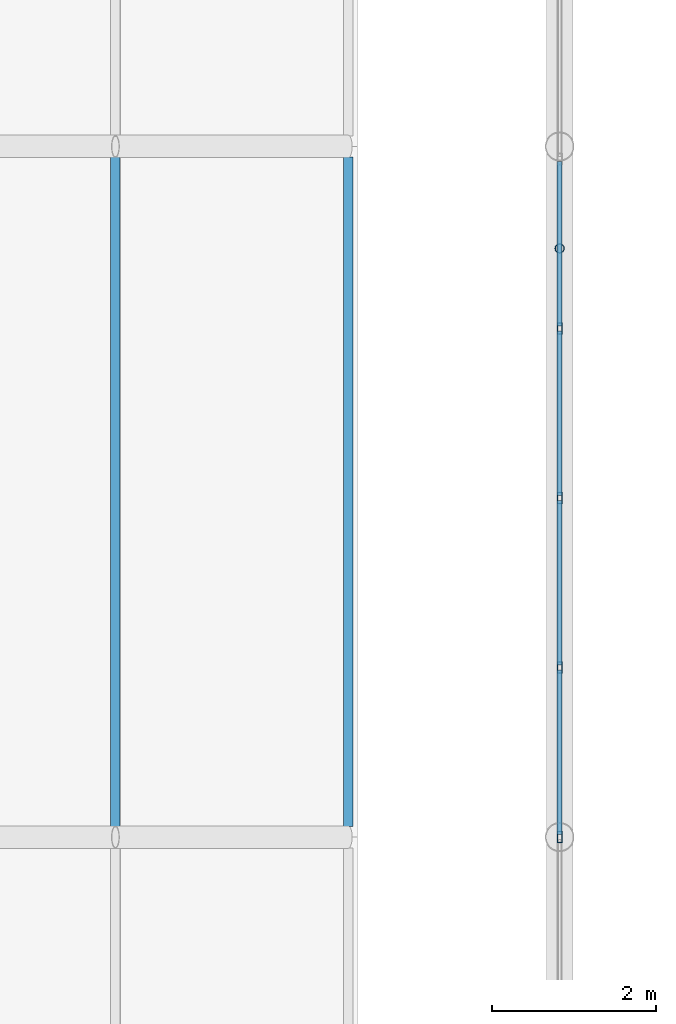
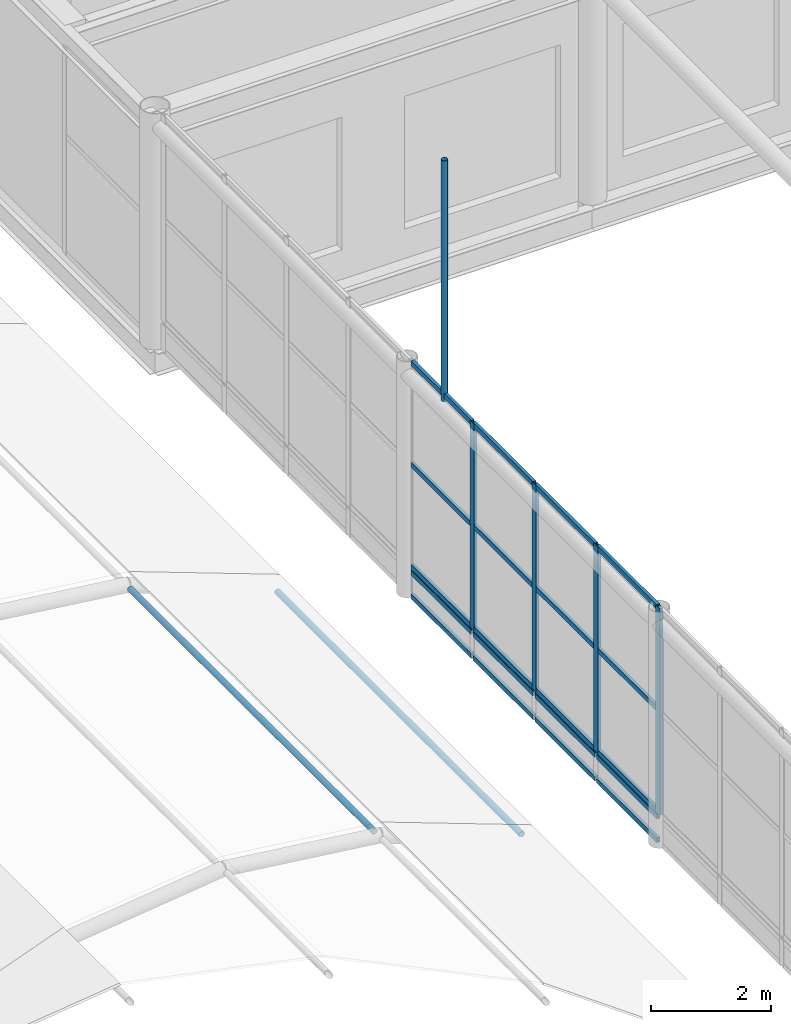
# One storey, part 48 of 167: 27 members, 2 elements without a shape of their own.
"""IFC4 building model written with IfcOpenShell, lengths in metres."""

from ifc_helpers import new_model, si_unit, direction, frame, origin, origin_2d, place, context, subcontext, project, spatial, hollow_rectangle, hollow_circle, extrude, material, material_profile, profile_set, type_object, element, aggregate, save


model = new_model("IFC4")

# Units and contexts
model_context = context("Model", 3, precision=1e-05, world=origin(), true_north=direction((0.0, 1.0)))
body_context = subcontext(model_context, "Body", "Model", "MODEL_VIEW")
ifc_project = project(units=[si_unit("LENGTHUNIT", "METRE"), si_unit("AREAUNIT", "SQUARE_METRE"), si_unit("VOLUMEUNIT", "CUBIC_METRE"), si_unit("PLANEANGLEUNIT", "RADIAN"), si_unit("MASSUNIT", "GRAM", prefix="KILO")], contexts=[model_context])

# Site, building, storey
site_placement = place(None, origin())
site = spatial("IfcSite", under=ifc_project, at=site_placement, CompositionType="ELEMENT")
building_placement = place(site_placement, origin())
building = spatial("IfcBuilding", under=site, at=building_placement, Name="Catenary Quay Ferry Terminal", CompositionType="ELEMENT")
storey_placement = place(building_placement, frame((0.0, 0.0, 6.0)))
storey = spatial("IfcBuildingStorey", under=building, at=storey_placement, Name="L01", CompositionType="ELEMENT", Elevation=6.0)

# Member
ifc_material_1 = material(Name="Steel S355", Category="steel")
ifc_material_profile_1 = material_profile(ifc_material_1, hollow_circle(Radius=0.05712890625, WallThickness=0.00634765625, at=origin_2d()), Name="CHS 114.3x6.3")
ifc_profile_set_1 = profile_set([ifc_material_profile_1], Name="Steel S355")
member_type_1 = type_object("IfcMemberType", Name="HG1 CHS 114.3x6.3", PredefinedType="POST", material=ifc_profile_set_1)
member_1_placement = place(storey_placement, frame((25.199951171875, 91.159912109375, 4.654052734375), z_axis=(0.0, 0.0, 1.0), x_axis=(1.0, 0.0, 0.0)))
element("IfcMember", 1, at=member_1_placement, inside=storey, type_object=member_type_1, Name="Hanger VA-01-07", PredefinedType="POST", context=body_context, shape_type="SweptSolid", body=[
    extrude(hollow_circle(Radius=0.05712890625, WallThickness=0.00634765625, at=origin_2d()), origin(), (0.0, 0.0, 1.0), 4.89599609375),
])

# Curtain wall, members
ifc_material_2 = material(Name="Aluminium and glass", Category="aluminium")
curtain_wall_type_1 = type_object("IfcCurtainWallType", Name="CWG", PredefinedType="NOTDEFINED", material=ifc_material_2)
curtain_wall_1_placement = place(storey_placement, origin())
curtain_wall_1 = element("IfcCurtainWall", 2, at=curtain_wall_1_placement, inside=storey, type_object=curtain_wall_type_1, Name="Gable arrivals hall curtain wall CW4", PredefinedType="NOTDEFINED")
ifc_material_3 = material(Name="Aluminium", Category="aluminium")
ifc_material_profile_2 = material_profile(ifc_material_3, hollow_rectangle(XDim=0.06005859375, YDim=0.139892578125, WallThickness=0.006103515625, at=origin_2d()), Name="MU2")
ifc_profile_set_2 = profile_set([ifc_material_profile_2], Name="Aluminium")
member_type_2 = type_object("IfcMemberType", Name="MU2", PredefinedType="MULLION", material=ifc_profile_set_2)
member_2_placement = place(storey_placement, frame((25.199951171875, 84.0, 0.60009765625), z_axis=(0.0, 0.0, 1.0), x_axis=(-1.0, 0.0, 0.0)))
member_2 = element("IfcMember", 3, at=member_2_placement, type_object=member_type_2, Name="CW4 mullion 9", PredefinedType="MULLION", context=body_context, shape_type="SweptSolid", body=[
    extrude(hollow_rectangle(XDim=0.06005859375, YDim=0.139892578125, WallThickness=0.006103515625, at=origin_2d()), origin(), (0.0, 0.0, 1.0), 4.199951171875),
])
member_3_placement = place(storey_placement, frame((25.199951171875, 86.0625, 0.60009765625), z_axis=(0.0, 0.0, 1.0), x_axis=(-1.0, 0.0, 0.0)))
member_3 = element("IfcMember", 4, at=member_3_placement, type_object=member_type_2, Name="CW4 mullion 10", PredefinedType="MULLION", context=body_context, shape_type="SweptSolid", body=[
    extrude(hollow_rectangle(XDim=0.06005859375, YDim=0.139892578125, WallThickness=0.006103515625, at=origin_2d()), origin(), (0.0, 0.0, 1.0), 4.199951171875),
])
member_4_placement = place(storey_placement, frame((25.199951171875, 88.125, 0.60009765625), z_axis=(0.0, 0.0, 1.0), x_axis=(-1.0, 0.0, 0.0)))
member_4 = element("IfcMember", 5, at=member_4_placement, type_object=member_type_2, Name="CW4 mullion 11", PredefinedType="MULLION", context=body_context, shape_type="SweptSolid", body=[
    extrude(hollow_rectangle(XDim=0.06005859375, YDim=0.139892578125, WallThickness=0.006103515625, at=origin_2d()), origin(), (0.0, 0.0, 1.0), 4.199951171875),
])
member_5_placement = place(storey_placement, frame((25.199951171875, 90.1875, 0.60009765625), z_axis=(0.0, 0.0, 1.0), x_axis=(-1.0, 0.0, 0.0)))
member_5 = element("IfcMember", 6, at=member_5_placement, type_object=member_type_2, Name="CW4 mullion 12", PredefinedType="MULLION", context=body_context, shape_type="SweptSolid", body=[
    extrude(hollow_rectangle(XDim=0.06005859375, YDim=0.139892578125, WallThickness=0.006103515625, at=origin_2d()), origin(), (0.0, 0.0, 1.0), 4.199951171875),
])

# Members
ifc_material_4 = material(Name="Steel S355", Category="steel")
ifc_material_profile_3 = material_profile(ifc_material_4, hollow_circle(Radius=0.05712890625, WallThickness=0.00634765625, at=origin_2d()), Name="CHS 114.3x6.3")
ifc_profile_set_3 = profile_set([ifc_material_profile_3], Name="Steel S355")
member_type_3 = type_object("IfcMemberType", Name="PU2 CHS 114.3x6.3", PredefinedType="PURLIN", material=ifc_profile_set_3)
for number, where, z_axis, x_axis, name in (
    (7, (19.797119140625, 84.1298828125, 2.031005859375), (0.0, 1.0, 0.0), (-1.0, 0.0, 0.0), "Purlin PU-FC-03-04"),
    (8, (22.62890625, 84.1298828125, 0.98388671875), (0.0, 1.0, 0.0), (-1.0, 0.0, 0.0), "Purlin PU-FC-03-05"),
):
    element("IfcMember", number, at=place(storey_placement, frame(where, z_axis=z_axis, x_axis=x_axis)), inside=storey, type_object=member_type_3, Name=name, PredefinedType="PURLIN", context=body_context, shape_type="SweptSolid", body=[
        extrude(hollow_circle(Radius=0.05712890625, WallThickness=0.00634765625, at=origin_2d()), origin(), (0.0, 0.0, 1.0), 8.14013671875),
    ])

# Member
ifc_material_5 = material(Name="Aluminium", Category="aluminium")
ifc_material_profile_4 = material_profile(ifc_material_5, hollow_rectangle(XDim=0.06005859375, YDim=0.10009765625, WallThickness=0.0048828125, at=origin_2d()), Name="TR2")
ifc_profile_set_4 = profile_set([ifc_material_profile_4], Name="Aluminium")
member_type_4 = type_object("IfcMemberType", Name="TR2", PredefinedType="USERDEFINED", material=ifc_profile_set_4)
member_6_placement = place(storey_placement, frame((25.199951171875, 84.030029296875, 0.6298828125), z_axis=(0.0, 1.0, 0.0), x_axis=(-1.0, 0.0, 0.0)))
member_6 = element("IfcMember", 9, at=member_6_placement, type_object=member_type_4, Name="CW4 transom 9.1", ObjectType="TRANSOM", PredefinedType="USERDEFINED", context=body_context, shape_type="SweptSolid", body=[
    extrude(hollow_rectangle(XDim=0.06005859375, YDim=0.10009765625, WallThickness=0.0048828125, at=origin_2d()), origin(), (0.0, 0.0, 1.0), 2.00244140625),
])

member_7_placement = place(storey_placement, frame((25.199951171875, 84.030029296875, 2.699951171875), z_axis=(0.0, 1.0, 0.0), x_axis=(-1.0, 0.0, 0.0)))
member_7 = element("IfcMember", 10, at=member_7_placement, type_object=member_type_4, Name="CW4 transom 9.2", ObjectType="TRANSOM", PredefinedType="USERDEFINED", context=body_context, shape_type="SweptSolid", body=[
    extrude(hollow_rectangle(XDim=0.06005859375, YDim=0.10009765625, WallThickness=0.0048828125, at=origin_2d()), origin(), (0.0, 0.0, 1.0), 2.00244140625),
])

member_8_placement = place(storey_placement, frame((25.199951171875, 84.030029296875, 4.77001953125), z_axis=(0.0, 1.0, 0.0), x_axis=(-1.0, 0.0, 0.0)))
member_8 = element("IfcMember", 11, at=member_8_placement, type_object=member_type_4, Name="CW4 transom 9.3", ObjectType="TRANSOM", PredefinedType="USERDEFINED", context=body_context, shape_type="SweptSolid", body=[
    extrude(hollow_rectangle(XDim=0.06005859375, YDim=0.10009765625, WallThickness=0.0048828125, at=origin_2d()), origin(), (0.0, 0.0, 1.0), 2.00244140625),
])

member_9_placement = place(storey_placement, frame((25.199951171875, 86.092529296875, 0.6298828125), z_axis=(0.0, 1.0, 0.0), x_axis=(-1.0, 0.0, 0.0)))
member_9 = element("IfcMember", 12, at=member_9_placement, type_object=member_type_4, Name="CW4 transom 10.1", ObjectType="TRANSOM", PredefinedType="USERDEFINED", context=body_context, shape_type="SweptSolid", body=[
    extrude(hollow_rectangle(XDim=0.06005859375, YDim=0.10009765625, WallThickness=0.0048828125, at=origin_2d()), origin(), (0.0, 0.0, 1.0), 2.00244140625),
])

member_10_placement = place(storey_placement, frame((25.199951171875, 86.092529296875, 2.699951171875), z_axis=(0.0, 1.0, 0.0), x_axis=(-1.0, 0.0, 0.0)))
member_10 = element("IfcMember", 13, at=member_10_placement, type_object=member_type_4, Name="CW4 transom 10.2", ObjectType="TRANSOM", PredefinedType="USERDEFINED", context=body_context, shape_type="SweptSolid", body=[
    extrude(hollow_rectangle(XDim=0.06005859375, YDim=0.10009765625, WallThickness=0.0048828125, at=origin_2d()), origin(), (0.0, 0.0, 1.0), 2.00244140625),
])

member_11_placement = place(storey_placement, frame((25.199951171875, 86.092529296875, 4.77001953125), z_axis=(0.0, 1.0, 0.0), x_axis=(-1.0, 0.0, 0.0)))
member_11 = element("IfcMember", 14, at=member_11_placement, type_object=member_type_4, Name="CW4 transom 10.3", ObjectType="TRANSOM", PredefinedType="USERDEFINED", context=body_context, shape_type="SweptSolid", body=[
    extrude(hollow_rectangle(XDim=0.06005859375, YDim=0.10009765625, WallThickness=0.0048828125, at=origin_2d()), origin(), (0.0, 0.0, 1.0), 2.00244140625),
])

member_12_placement = place(storey_placement, frame((25.199951171875, 88.155029296875, 0.6298828125), z_axis=(0.0, 1.0, 0.0), x_axis=(-1.0, 0.0, 0.0)))
member_12 = element("IfcMember", 15, at=member_12_placement, type_object=member_type_4, Name="CW4 transom 11.1", ObjectType="TRANSOM", PredefinedType="USERDEFINED", context=body_context, shape_type="SweptSolid", body=[
    extrude(hollow_rectangle(XDim=0.06005859375, YDim=0.10009765625, WallThickness=0.0048828125, at=origin_2d()), origin(), (0.0, 0.0, 1.0), 2.00244140625),
])

member_13_placement = place(storey_placement, frame((25.199951171875, 88.155029296875, 2.699951171875), z_axis=(0.0, 1.0, 0.0), x_axis=(-1.0, 0.0, 0.0)))
member_13 = element("IfcMember", 16, at=member_13_placement, type_object=member_type_4, Name="CW4 transom 11.2", ObjectType="TRANSOM", PredefinedType="USERDEFINED", context=body_context, shape_type="SweptSolid", body=[
    extrude(hollow_rectangle(XDim=0.06005859375, YDim=0.10009765625, WallThickness=0.0048828125, at=origin_2d()), origin(), (0.0, 0.0, 1.0), 2.00244140625),
])

member_14_placement = place(storey_placement, frame((25.199951171875, 88.155029296875, 4.77001953125), z_axis=(0.0, 1.0, 0.0), x_axis=(-1.0, 0.0, 0.0)))
member_14 = element("IfcMember", 17, at=member_14_placement, type_object=member_type_4, Name="CW4 transom 11.3", ObjectType="TRANSOM", PredefinedType="USERDEFINED", context=body_context, shape_type="SweptSolid", body=[
    extrude(hollow_rectangle(XDim=0.06005859375, YDim=0.10009765625, WallThickness=0.0048828125, at=origin_2d()), origin(), (0.0, 0.0, 1.0), 2.00244140625),
])

member_15_placement = place(storey_placement, frame((25.199951171875, 90.217529296875, 0.6298828125), z_axis=(0.0, 1.0, 0.0), x_axis=(-1.0, 0.0, 0.0)))
member_15 = element("IfcMember", 18, at=member_15_placement, type_object=member_type_4, Name="CW4 transom 12.1", ObjectType="TRANSOM", PredefinedType="USERDEFINED", context=body_context, shape_type="SweptSolid", body=[
    extrude(hollow_rectangle(XDim=0.06005859375, YDim=0.10009765625, WallThickness=0.0048828125, at=origin_2d()), origin(), (0.0, 0.0, 1.0), 2.00244140625),
])

member_16_placement = place(storey_placement, frame((25.199951171875, 90.217529296875, 2.699951171875), z_axis=(0.0, 1.0, 0.0), x_axis=(-1.0, 0.0, 0.0)))
member_16 = element("IfcMember", 19, at=member_16_placement, type_object=member_type_4, Name="CW4 transom 12.2", ObjectType="TRANSOM", PredefinedType="USERDEFINED", context=body_context, shape_type="SweptSolid", body=[
    extrude(hollow_rectangle(XDim=0.06005859375, YDim=0.10009765625, WallThickness=0.0048828125, at=origin_2d()), origin(), (0.0, 0.0, 1.0), 2.00244140625),
])

member_17_placement = place(storey_placement, frame((25.199951171875, 90.217529296875, 4.77001953125), z_axis=(0.0, 1.0, 0.0), x_axis=(-1.0, 0.0, 0.0)))
member_17 = element("IfcMember", 20, at=member_17_placement, type_object=member_type_4, Name="CW4 transom 12.3", ObjectType="TRANSOM", PredefinedType="USERDEFINED", context=body_context, shape_type="SweptSolid", body=[
    extrude(hollow_rectangle(XDim=0.06005859375, YDim=0.10009765625, WallThickness=0.0048828125, at=origin_2d()), origin(), (0.0, 0.0, 1.0), 2.00244140625),
])

aggregate(curtain_wall_1, [member_2, member_3, member_4, member_5, member_6, member_7, member_8, member_9, member_10, member_11, member_12, member_13, member_14, member_15, member_16, member_17])

# Curtain wall, members
ifc_material_6 = material(Name="Aluminium and glass", Category="aluminium")
curtain_wall_type_2 = type_object("IfcCurtainWallType", Name="CWQ", PredefinedType="NOTDEFINED", material=ifc_material_6)
curtain_wall_2_placement = place(storey_placement, origin())
curtain_wall_2 = element("IfcCurtainWall", 21, at=curtain_wall_2_placement, inside=storey, type_object=curtain_wall_type_2, Name="Gable arrivals hall base curtain wall CW173", PredefinedType="NOTDEFINED")
member_18_placement = place(storey_placement, frame((25.199951171875, 84.030029296875, 0.030029296875), z_axis=(0.0, 1.0, 0.0), x_axis=(-1.0, 0.0, 0.0)))
member_18 = element("IfcMember", 22, at=member_18_placement, type_object=member_type_4, Name="CW173 transom 9.1", ObjectType="TRANSOM", PredefinedType="USERDEFINED", context=body_context, shape_type="SweptSolid", body=[
    extrude(hollow_rectangle(XDim=0.06005859375, YDim=0.10009765625, WallThickness=0.0048828125, at=origin_2d()), origin(), (0.0, 0.0, 1.0), 2.00244140625),
])
member_19_placement = place(storey_placement, frame((25.199951171875, 84.030029296875, 0.510009765625), z_axis=(0.0, 1.0, 0.0), x_axis=(-1.0, 0.0, 0.0)))
member_19 = element("IfcMember", 23, at=member_19_placement, type_object=member_type_4, Name="CW173 transom 9.2", ObjectType="TRANSOM", PredefinedType="USERDEFINED", context=body_context, shape_type="SweptSolid", body=[
    extrude(hollow_rectangle(XDim=0.06005859375, YDim=0.10009765625, WallThickness=0.0048828125, at=origin_2d()), origin(), (0.0, 0.0, 1.0), 2.00244140625),
])
member_20_placement = place(storey_placement, frame((25.199951171875, 86.092529296875, 0.030029296875), z_axis=(0.0, 1.0, 0.0), x_axis=(-1.0, 0.0, 0.0)))
member_20 = element("IfcMember", 24, at=member_20_placement, type_object=member_type_4, Name="CW173 transom 10.1", ObjectType="TRANSOM", PredefinedType="USERDEFINED", context=body_context, shape_type="SweptSolid", body=[
    extrude(hollow_rectangle(XDim=0.06005859375, YDim=0.10009765625, WallThickness=0.0048828125, at=origin_2d()), origin(), (0.0, 0.0, 1.0), 2.00244140625),
])
member_21_placement = place(storey_placement, frame((25.199951171875, 86.092529296875, 0.510009765625), z_axis=(0.0, 1.0, 0.0), x_axis=(-1.0, 0.0, 0.0)))
member_21 = element("IfcMember", 25, at=member_21_placement, type_object=member_type_4, Name="CW173 transom 10.2", ObjectType="TRANSOM", PredefinedType="USERDEFINED", context=body_context, shape_type="SweptSolid", body=[
    extrude(hollow_rectangle(XDim=0.06005859375, YDim=0.10009765625, WallThickness=0.0048828125, at=origin_2d()), origin(), (0.0, 0.0, 1.0), 2.00244140625),
])
member_22_placement = place(storey_placement, frame((25.199951171875, 88.155029296875, 0.030029296875), z_axis=(0.0, 1.0, 0.0), x_axis=(-1.0, 0.0, 0.0)))
member_22 = element("IfcMember", 26, at=member_22_placement, type_object=member_type_4, Name="CW173 transom 11.1", ObjectType="TRANSOM", PredefinedType="USERDEFINED", context=body_context, shape_type="SweptSolid", body=[
    extrude(hollow_rectangle(XDim=0.06005859375, YDim=0.10009765625, WallThickness=0.0048828125, at=origin_2d()), origin(), (0.0, 0.0, 1.0), 2.00244140625),
])
member_23_placement = place(storey_placement, frame((25.199951171875, 88.155029296875, 0.510009765625), z_axis=(0.0, 1.0, 0.0), x_axis=(-1.0, 0.0, 0.0)))
member_23 = element("IfcMember", 27, at=member_23_placement, type_object=member_type_4, Name="CW173 transom 11.2", ObjectType="TRANSOM", PredefinedType="USERDEFINED", context=body_context, shape_type="SweptSolid", body=[
    extrude(hollow_rectangle(XDim=0.06005859375, YDim=0.10009765625, WallThickness=0.0048828125, at=origin_2d()), origin(), (0.0, 0.0, 1.0), 2.00244140625),
])
member_24_placement = place(storey_placement, frame((25.199951171875, 90.217529296875, 0.030029296875), z_axis=(0.0, 1.0, 0.0), x_axis=(-1.0, 0.0, 0.0)))
member_24 = element("IfcMember", 28, at=member_24_placement, type_object=member_type_4, Name="CW173 transom 12.1", ObjectType="TRANSOM", PredefinedType="USERDEFINED", context=body_context, shape_type="SweptSolid", body=[
    extrude(hollow_rectangle(XDim=0.06005859375, YDim=0.10009765625, WallThickness=0.0048828125, at=origin_2d()), origin(), (0.0, 0.0, 1.0), 2.00244140625),
])
member_25_placement = place(storey_placement, frame((25.199951171875, 90.217529296875, 0.510009765625), z_axis=(0.0, 1.0, 0.0), x_axis=(-1.0, 0.0, 0.0)))
member_25 = element("IfcMember", 29, at=member_25_placement, type_object=member_type_4, Name="CW173 transom 12.2", ObjectType="TRANSOM", PredefinedType="USERDEFINED", context=body_context, shape_type="SweptSolid", body=[
    extrude(hollow_rectangle(XDim=0.06005859375, YDim=0.10009765625, WallThickness=0.0048828125, at=origin_2d()), origin(), (0.0, 0.0, 1.0), 2.00244140625),
])
aggregate(curtain_wall_2, [member_18, member_19, member_20, member_21, member_22, member_23, member_24, member_25])

save(model, "model.ifc")
